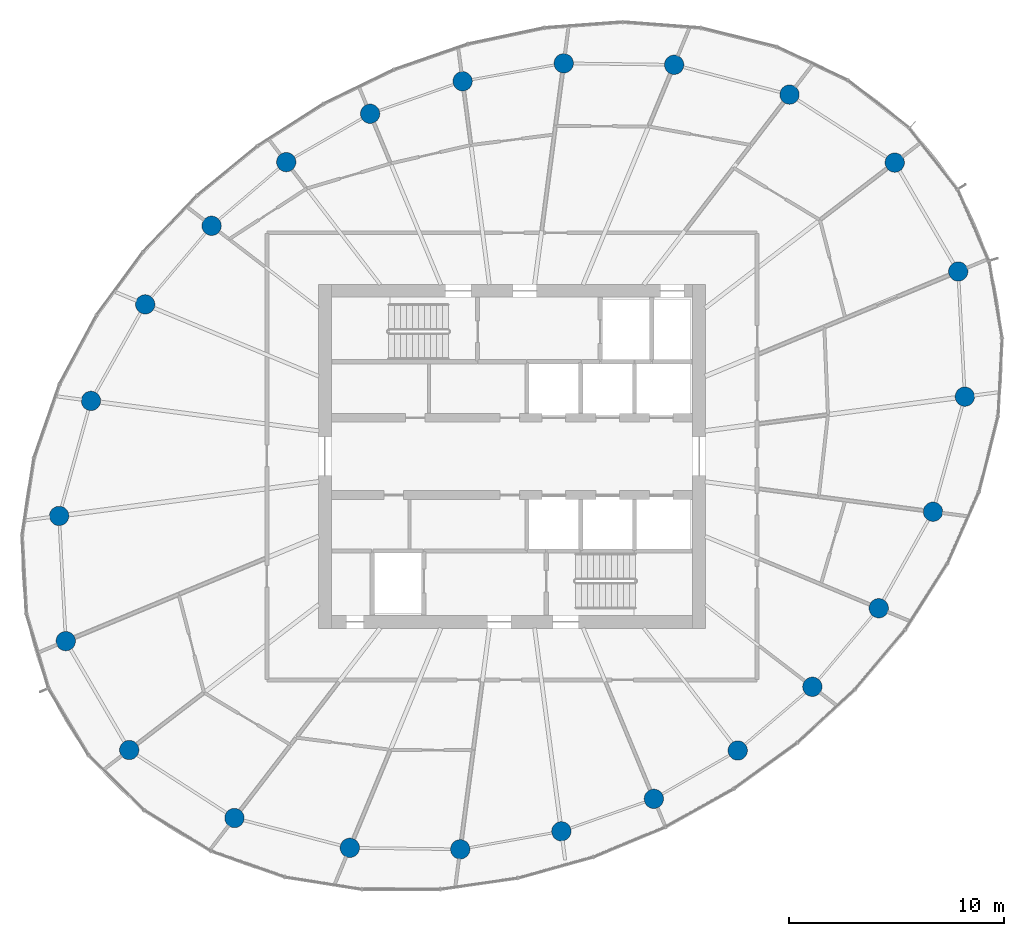
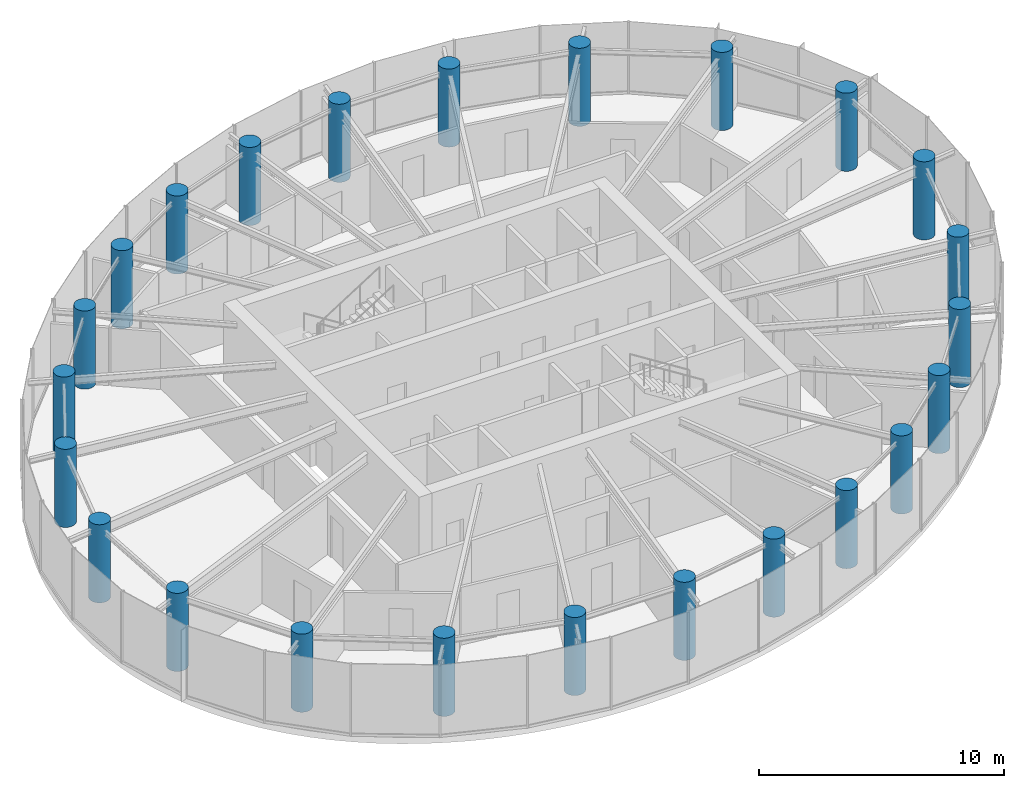
# One storey, part 1 of 14: 24 columns.
"""IFC4 building model written with IfcOpenShell, lengths in metres."""

import ifcopenshell
import ifcopenshell.guid

model = None  # the IFC model being written
_history = None  # IfcOwnerHistory: only IFC2X3 demands one
_inside = {}  # id of a spatial element -> (the spatial element, [elements in it])
_under = {}  # id of a project, library or spatial element -> (it, [spatial elements below it])
_declared = {}  # id of a project -> (the project, [libraries it declares])
_typed = {}  # id of a type object -> (the type object, [elements of that type])
_made_of = {}  # id of a material, layer set ... -> (it, [elements and type objects made of it])


def new_model(schema):
    """Start an empty IFC model of exactly this schema.

    Asked for "IFC4X3", IfcOpenShell would pick the latest addendum, in which some entities
    have other attributes; the version numbers below select the first issue.
    IFC2X3 requires an IfcOwnerHistory on every rooted entity: one is made here for all.
    """
    global model, _history
    if schema == "IFC4X3":
        model = ifcopenshell.file(schema_version=(4, 3, 0, 0))
    else:
        model = ifcopenshell.file(schema=schema)
    _inside.clear()
    _under.clear()
    _declared.clear()
    _typed.clear()
    _made_of.clear()
    _history = None
    if model.schema == "IFC2X3":
        org = make("IfcOrganization", Name="unknown")
        user = make(
            "IfcPersonAndOrganization",
            ThePerson=make("IfcPerson", FamilyName="unknown"),
            TheOrganization=org,
        )
        app = make(
            "IfcApplication",
            ApplicationDeveloper=org,
            Version="unknown",
            ApplicationFullName="unknown",
            ApplicationIdentifier="unknown",
        )
        _history = make(
            "IfcOwnerHistory",
            OwningUser=user,
            OwningApplication=app,
            ChangeAction="ADDED",
            CreationDate=0,
        )
    return model


def make(cls, **values):
    """One entity of the class cls with the attributes given. An attribute that is None is left unset."""
    return model.create_entity(
        cls, **{name: value for name, value in values.items() if value is not None}
    )


def rooted(cls, **values):
    """An entity with a GlobalId (a new one), such as an element, a storey or a relation."""
    return make(cls, GlobalId=ifcopenshell.guid.new(), OwnerHistory=_history, **values)


def si_unit(unit_type, name, prefix=None):
    """IfcSIUnit, for example si_unit("LENGTHUNIT", "METRE", prefix="MILLI")."""
    return make("IfcSIUnit", UnitType=unit_type, Prefix=prefix, Name=name)


def assignment(units):
    """IfcUnitAssignment: the units of a project."""
    return None if units is None else make("IfcUnitAssignment", Units=units)


def point(xyz):
    """IfcCartesianPoint."""
    return None if xyz is None else make("IfcCartesianPoint", Coordinates=xyz)


def direction(xyz):
    """IfcDirection."""
    return None if xyz is None else make("IfcDirection", DirectionRatios=xyz)


def frame(location, z_axis=None, x_axis=None):
    """IfcAxis2Placement3D, a coordinate frame: its origin and axes. An axis left out is left unset."""
    return make(
        "IfcAxis2Placement3D",
        Location=point(location),
        Axis=direction(z_axis),
        RefDirection=direction(x_axis),
    )


def frame_2d(location, x_axis=None):
    """IfcAxis2Placement2D, a coordinate frame in the plane: its origin and x axis."""
    return make(
        "IfcAxis2Placement2D", Location=point(location), RefDirection=direction(x_axis)
    )


def origin():
    """The frame at (0, 0, 0) with its axes left unset."""
    return frame((0.0, 0.0, 0.0))


def origin_2d():
    """The frame at (0, 0) in the plane with its x axis left unset."""
    return frame_2d((0.0, 0.0))


def place(relative_to, where):
    """IfcLocalPlacement: puts the frame where relative to a parent placement (None: the world)."""
    return make(
        "IfcLocalPlacement", PlacementRelTo=relative_to, RelativePlacement=where
    )


def context(
    kind, dimensions, precision=None, world=None, true_north=None, identifier=None
):
    """IfcGeometricRepresentationContext, for example the 3D "Model" context."""
    return make(
        "IfcGeometricRepresentationContext",
        ContextIdentifier=identifier,
        ContextType=kind,
        CoordinateSpaceDimension=dimensions,
        Precision=precision,
        WorldCoordinateSystem=world,
        TrueNorth=true_north,
    )


def subcontext(parent, identifier, kind, view, scale=None):
    """IfcGeometricRepresentationSubContext, for example "Body" below "Model"."""
    return make(
        "IfcGeometricRepresentationSubContext",
        ContextIdentifier=identifier,
        ContextType=kind,
        ParentContext=parent,
        TargetScale=scale,
        TargetView=view,
    )


def project(units=None, contexts=None):
    """IfcProject with its units and contexts."""
    return rooted(
        "IfcProject",
        Name="project",
        RepresentationContexts=contexts,
        UnitsInContext=assignment(units),
    )


def spatial(cls, under=None, at=None, **own):
    """A site, building, storey or space (cls), placed at a placement, below another one or the project."""
    s = rooted(cls, ObjectPlacement=at, **own)
    if under is not None:
        _under.setdefault(under.id(), (under, []))[1].append(s)
    return s


def profile(cls, at=None, kind="AREA", **sizes):
    """A parametric profile (cls). Its sizes go by their IFC names, for example OverallWidth=200.0."""
    return make(cls, ProfileType=kind, Position=at, **sizes)


def circle(**sizes):
    """IfcCircleProfileDef."""
    return profile("IfcCircleProfileDef", **sizes)


def extrude(swept, where, along, depth):
    """IfcExtrudedAreaSolid: the profile swept, set in the frame where, extruded along a direction by depth."""
    return make(
        "IfcExtrudedAreaSolid",
        SweptArea=swept,
        Position=where,
        ExtrudedDirection=direction(along),
        Depth=depth,
    )


def shape(context_of_items, identifier, shape_type, items):
    """IfcShapeRepresentation: the items that make up one representation, for example the "Body"."""
    return make(
        "IfcShapeRepresentation",
        ContextOfItems=context_of_items,
        RepresentationIdentifier=identifier,
        RepresentationType=shape_type,
        Items=items,
    )


def source(mapping_origin, context_of_items, identifier, shape_type, items):
    """IfcRepresentationMap: a shape defined once, which mapped items show again and again."""
    return make(
        "IfcRepresentationMap",
        MappingOrigin=mapping_origin,
        MappedRepresentation=shape(context_of_items, identifier, shape_type, items),
    )


def transform(
    local_origin,
    x_axis=None,
    y_axis=None,
    z_axis=None,
    scale=None,
    scale2=None,
    scale3=None,
    uniform=True,
):
    """IfcCartesianTransformationOperator3D, or its non-uniform kind. x_axis, y_axis, z_axis: its Axis1, 2, 3."""
    if uniform:
        return make(
            "IfcCartesianTransformationOperator3D",
            Axis1=direction(x_axis),
            Axis2=direction(y_axis),
            LocalOrigin=point(local_origin),
            Scale=scale,
            Axis3=direction(z_axis),
        )
    return make(
        "IfcCartesianTransformationOperator3DnonUniform",
        Axis1=direction(x_axis),
        Axis2=direction(y_axis),
        LocalOrigin=point(local_origin),
        Scale=scale,
        Axis3=direction(z_axis),
        Scale2=scale2,
        Scale3=scale3,
    )


def mapped(mapping_source, mapping_target):
    """IfcMappedItem: shows the shape of a source again, moved by a transform."""
    return make(
        "IfcMappedItem", MappingSource=mapping_source, MappingTarget=mapping_target
    )


def material(Name=None, Category=None):
    """IfcMaterial."""
    return make("IfcMaterial", Name=Name, Category=Category)


def material_profile(
    of_material, cross_section, Name=None, Category=None, Priority=None
):
    """IfcMaterialProfile: a cross section and its material."""
    return make(
        "IfcMaterialProfile",
        Name=Name,
        Material=of_material,
        Profile=cross_section,
        Priority=Priority,
        Category=Category,
    )


def profile_set(profiles, Name=None, composite=None):
    """IfcMaterialProfileSet."""
    return make(
        "IfcMaterialProfileSet",
        Name=Name,
        MaterialProfiles=profiles,
        CompositeProfile=composite,
    )


def made_of(thing, what):
    """Note that an element or type object is made of a material, layer set ...; save() writes the relation."""
    if what is not None:
        _made_of.setdefault(what.id(), (what, []))[1].append(thing)
    return thing


def type_object(cls, material=None, **own):
    """A type object (cls), such as IfcWallType, which elements share."""
    return made_of(rooted(cls, **own), material)


def element(
    cls,
    number,
    at=None,
    inside=None,
    cuts=None,
    type_object=None,
    material=None,
    context=None,
    identifier="Body",
    shape_type=None,
    held_by="IfcProductDefinitionShape",
    body=None,
    shapes=None,
    **own,
):
    """One element of the class cls, such as IfcWall. Its Tag is "e" and its number.

    at: its placement. inside: the storey or other place that contains it. cuts: it is an
    opening in that element (IfcRelVoidsElement). A single representation is given by context,
    identifier, shape_type and body (its items); several are given by shapes. held_by: the class
    of the entity that holds the representations. save() writes the other relations.
    """
    e = rooted(cls, Tag="e%d" % number, ObjectPlacement=at, **own)
    if body is not None:
        shapes = [shape(context, identifier, shape_type, body)]
    if shapes is not None:
        e.Representation = make(held_by, Representations=shapes)
    if inside is not None:
        _inside.setdefault(inside.id(), (inside, []))[1].append(e)
    if cuts is not None:
        rooted(
            "IfcRelVoidsElement", RelatingBuildingElement=cuts, RelatedOpeningElement=e
        )
    if type_object is not None:
        _typed.setdefault(type_object.id(), (type_object, []))[1].append(e)
    return made_of(e, material)


def aggregate(whole, parts):
    """IfcRelAggregates: a whole, such as a stair, and the parts it consists of."""
    return rooted("IfcRelAggregates", RelatingObject=whole, RelatedObjects=parts)


def save(model, path):
    """Write the relations noted so far, then the file.

    IfcRelAggregates (storeys below a building ...), IfcRelContainedInSpatialStructure (elements
    in a storey), IfcRelDefinesByType, IfcRelAssociatesMaterial and IfcRelDeclares: one each for
    every whole, place, type object, material and project.
    """
    for whole, parts in _under.values():
        aggregate(whole, parts)
    for where, things in _inside.values():
        rooted(
            "IfcRelContainedInSpatialStructure",
            RelatedElements=things,
            RelatingStructure=where,
        )
    for kind, things in _typed.values():
        rooted("IfcRelDefinesByType", RelatedObjects=things, RelatingType=kind)
    for what, things in _made_of.values():
        rooted("IfcRelAssociatesMaterial", RelatedObjects=things, RelatingMaterial=what)
    for by, libraries in _declared.values():
        rooted("IfcRelDeclares", RelatingContext=by, RelatedDefinitions=libraries)
    model.write(path)


model = new_model("IFC4")

# Units and contexts
model_context = context("Model", 3, precision=1e-05, world=origin(), true_north=direction((0.0, 1.0)))
body_context = subcontext(model_context, "Body", "Model", "MODEL_VIEW")
ifc_project = project(units=[si_unit("LENGTHUNIT", "METRE"), si_unit("AREAUNIT", "SQUARE_METRE"), si_unit("VOLUMEUNIT", "CUBIC_METRE"), si_unit("PLANEANGLEUNIT", "RADIAN"), si_unit("MASSUNIT", "GRAM", prefix="KILO")], contexts=[model_context])

# Site, building, storey
site_placement = place(None, origin())
site = spatial("IfcSite", under=ifc_project, at=site_placement, CompositionType="ELEMENT")
building_placement = place(site_placement, origin())
building = spatial("IfcBuilding", under=site, at=building_placement, Name="Spindrift Exchange Tower", CompositionType="ELEMENT")
storey_placement = place(building_placement, frame((0.0, 0.0, 211.10009765625)))
storey = spatial("IfcBuildingStorey", under=building, at=storey_placement, Name="L51", CompositionType="ELEMENT", Elevation=211.10009765625)

# Columns
ifc_material = material(Name="Concrete 50 MPa", Category="concrete")
ifc_material_profile = material_profile(ifc_material, circle(Radius=0.449951171875, at=origin_2d()), Name="RC D900")
ifc_profile_set = profile_set([ifc_material_profile], Name="Concrete 50 MPa")
column_type = type_object("IfcColumnType", Name="RC Perimeter Column D900 Concrete 50 MPa", PredefinedType="COLUMN", material=ifc_profile_set)
shared_shape = source(origin(), body_context, "Body", "SweptSolid", [
    extrude(circle(Radius=0.449951171875, at=origin_2d()), origin(), (0.0, 0.0, 1.0), 3.89990234375),
])
for number, where, z_axis, x_axis, name in (
    (1, (73.062255859375, 50.77294921875, 0.0), (0.0, 0.0, 1.0), (1.0, 0.0, 0.0), "Perimeter column P4-01 L51"),
    (2, (72.753173828125, 56.59619140625, 0.0), (0.0, 0.0, 1.0), (1.0, 0.0, 0.0), "Perimeter column P4-02 L51"),
    (3, (69.802001953125, 61.659912109375, 0.0), (0.0, 0.0, 1.0), (1.0, 0.0, 0.0), "Perimeter column P4-03 L51"),
    (4, (64.90869140625, 64.822998046875, 0.0), (0.0, 0.0, 1.0), (1.0, 0.0, 0.0), "Perimeter column P4-04 L51"),
    (5, (59.542724609375, 66.209716796875, 0.0), (0.0, 0.0, 1.0), (1.0, 0.0, 0.0), "Perimeter column P4-05 L51"),
    (6, (54.406494140625, 66.2783203125, 0.0), (0.0, 0.0, 1.0), (1.0, 0.0, 0.0), "Perimeter column P4-06 L51"),
    (7, (49.70361328125, 65.4423828125, 0.0), (0.0, 0.0, 1.0), (1.0, 0.0, 0.0), "Perimeter column P4-07 L51"),
    (8, (45.40087890625, 63.931396484375, 0.0), (0.0, 0.0, 1.0), (1.0, 0.0, 0.0), "Perimeter column P4-08 L51"),
    (9, (41.500732421875, 61.68310546875, 0.0), (0.0, 0.0, 1.0), (1.0, 0.0, 0.0), "Perimeter column P4-09 L51"),
    (10, (38.029052734375, 58.72021484375, 0.0), (0.0, 0.0, 1.0), (1.0, 0.0, 0.0), "Perimeter column P4-10 L51"),
    (11, (34.940673828125, 55.066162109375, 0.0), (0.0, 0.0, 1.0), (1.0, 0.0, 0.0), "Perimeter column P4-11 L51"),
    (12, (32.4189453125, 50.577880859375, 0.0), (0.0, 0.0, 1.0), (1.0, 0.0, 0.0), "Perimeter column P4-12 L51"),
    (13, (30.937744140625, 45.22705078125, 0.0), (0.0, 0.0, 1.0), (1.0, 0.0, 0.0), "Perimeter column P4-13 L51"),
    (14, (31.246826171875, 39.40380859375, 0.0), (0.0, 0.0, 1.0), (1.0, 0.0, 0.0), "Perimeter column P4-14 L51"),
    (15, (34.197998046875, 34.340087890625, 0.0), (0.0, 0.0, 1.0), (1.0, 0.0, 0.0), "Perimeter column P4-15 L51"),
    (16, (39.09130859375, 31.177001953125, 0.0), (0.0, 0.0, 1.0), (1.0, 0.0, 0.0), "Perimeter column P4-16 L51"),
    (17, (44.457275390625, 29.790283203125, 0.0), (0.0, 0.0, 1.0), (1.0, 0.0, 0.0), "Perimeter column P4-17 L51"),
    (18, (49.593505859375, 29.7216796875, 0.0), (0.0, 0.0, 1.0), (1.0, 0.0, 0.0), "Perimeter column P4-18 L51"),
    (19, (54.29638671875, 30.5576171875, 0.0), (0.0, 0.0, 1.0), (1.0, 0.0, 0.0), "Perimeter column P4-19 L51"),
    (20, (58.59912109375, 32.068603515625, 0.0), (0.0, 0.0, 1.0), (1.0, 0.0, 0.0), "Perimeter column P4-20 L51"),
    (21, (62.499267578125, 34.31689453125, 0.0), (0.0, 0.0, 1.0), (1.0, 0.0, 0.0), "Perimeter column P4-21 L51"),
    (22, (65.970947265625, 37.27978515625, 0.0), (0.0, 0.0, 1.0), (1.0, 0.0, 0.0), "Perimeter column P4-22 L51"),
    (23, (69.059326171875, 40.933837890625, 0.0), (0.0, 0.0, 1.0), (1.0, 0.0, 0.0), "Perimeter column P4-23 L51"),
    (24, (71.5810546875, 45.422119140625, 0.0), (0.0, 0.0, 1.0), (1.0, 0.0, 0.0), "Perimeter column P4-24 L51"),
):
    element("IfcColumn", number, at=place(storey_placement, frame(where, z_axis=z_axis, x_axis=x_axis)), inside=storey, type_object=column_type, Name=name, PredefinedType="COLUMN", context=body_context, shape_type="MappedRepresentation", body=[
        mapped(shared_shape, transform((0.0, 0.0, 0.0), scale=1.0)),
    ])

save(model, "model.ifc")
